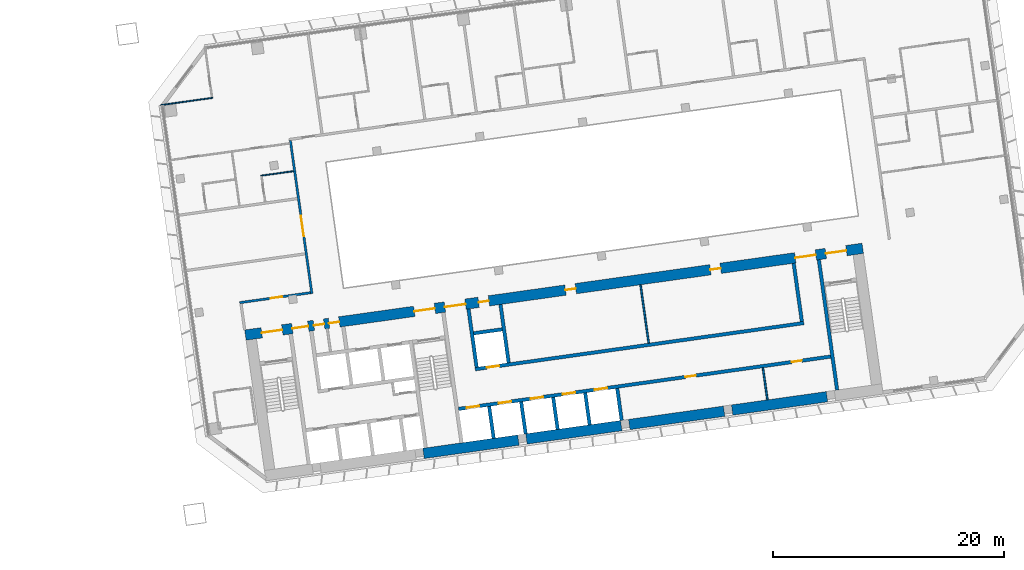
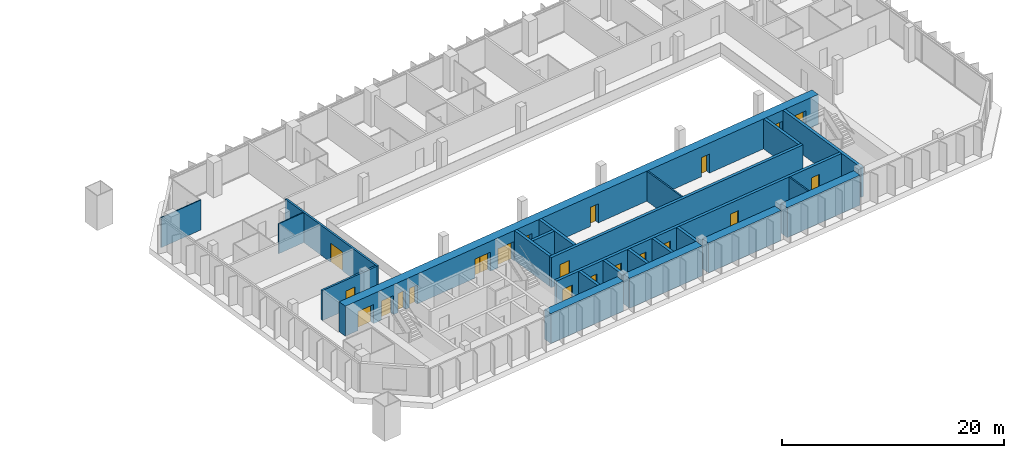
# One storey, part 19 of 24: 23 walls, 21 doors, 21 openings.
"""IFC4 building model written with IfcOpenShell, lengths in metres."""

import ifcopenshell
import ifcopenshell.guid

model = None  # the IFC model being written
_history = None  # IfcOwnerHistory: only IFC2X3 demands one
_inside = {}  # id of a spatial element -> (the spatial element, [elements in it])
_under = {}  # id of a project, library or spatial element -> (it, [spatial elements below it])
_declared = {}  # id of a project -> (the project, [libraries it declares])
_typed = {}  # id of a type object -> (the type object, [elements of that type])
_made_of = {}  # id of a material, layer set ... -> (it, [elements and type objects made of it])


def new_model(schema):
    """Start an empty IFC model of exactly this schema.

    Asked for "IFC4X3", IfcOpenShell would pick the latest addendum, in which some entities
    have other attributes; the version numbers below select the first issue.
    IFC2X3 requires an IfcOwnerHistory on every rooted entity: one is made here for all.
    """
    global model, _history
    if schema == "IFC4X3":
        model = ifcopenshell.file(schema_version=(4, 3, 0, 0))
    else:
        model = ifcopenshell.file(schema=schema)
    _inside.clear()
    _under.clear()
    _declared.clear()
    _typed.clear()
    _made_of.clear()
    _history = None
    if model.schema == "IFC2X3":
        org = make("IfcOrganization", Name="unknown")
        user = make(
            "IfcPersonAndOrganization",
            ThePerson=make("IfcPerson", FamilyName="unknown"),
            TheOrganization=org,
        )
        app = make(
            "IfcApplication",
            ApplicationDeveloper=org,
            Version="unknown",
            ApplicationFullName="unknown",
            ApplicationIdentifier="unknown",
        )
        _history = make(
            "IfcOwnerHistory",
            OwningUser=user,
            OwningApplication=app,
            ChangeAction="ADDED",
            CreationDate=0,
        )
    return model


def make(cls, **values):
    """One entity of the class cls with the attributes given. An attribute that is None is left unset."""
    return model.create_entity(
        cls, **{name: value for name, value in values.items() if value is not None}
    )


def rooted(cls, **values):
    """An entity with a GlobalId (a new one), such as an element, a storey or a relation."""
    return make(cls, GlobalId=ifcopenshell.guid.new(), OwnerHistory=_history, **values)


def si_unit(unit_type, name, prefix=None):
    """IfcSIUnit, for example si_unit("LENGTHUNIT", "METRE", prefix="MILLI")."""
    return make("IfcSIUnit", UnitType=unit_type, Prefix=prefix, Name=name)


def assignment(units):
    """IfcUnitAssignment: the units of a project."""
    return None if units is None else make("IfcUnitAssignment", Units=units)


def point(xyz):
    """IfcCartesianPoint."""
    return None if xyz is None else make("IfcCartesianPoint", Coordinates=xyz)


def direction(xyz):
    """IfcDirection."""
    return None if xyz is None else make("IfcDirection", DirectionRatios=xyz)


def frame(location, z_axis=None, x_axis=None):
    """IfcAxis2Placement3D, a coordinate frame: its origin and axes. An axis left out is left unset."""
    return make(
        "IfcAxis2Placement3D",
        Location=point(location),
        Axis=direction(z_axis),
        RefDirection=direction(x_axis),
    )


def frame_2d(location, x_axis=None):
    """IfcAxis2Placement2D, a coordinate frame in the plane: its origin and x axis."""
    return make(
        "IfcAxis2Placement2D", Location=point(location), RefDirection=direction(x_axis)
    )


def origin():
    """The frame at (0, 0, 0) with its axes left unset."""
    return frame((0.0, 0.0, 0.0))


def place(relative_to, where):
    """IfcLocalPlacement: puts the frame where relative to a parent placement (None: the world)."""
    return make(
        "IfcLocalPlacement", PlacementRelTo=relative_to, RelativePlacement=where
    )


def context(
    kind, dimensions, precision=None, world=None, true_north=None, identifier=None
):
    """IfcGeometricRepresentationContext, for example the 3D "Model" context."""
    return make(
        "IfcGeometricRepresentationContext",
        ContextIdentifier=identifier,
        ContextType=kind,
        CoordinateSpaceDimension=dimensions,
        Precision=precision,
        WorldCoordinateSystem=world,
        TrueNorth=true_north,
    )


def subcontext(parent, identifier, kind, view, scale=None):
    """IfcGeometricRepresentationSubContext, for example "Body" below "Model"."""
    return make(
        "IfcGeometricRepresentationSubContext",
        ContextIdentifier=identifier,
        ContextType=kind,
        ParentContext=parent,
        TargetScale=scale,
        TargetView=view,
    )


def project(units=None, contexts=None):
    """IfcProject with its units and contexts."""
    return rooted(
        "IfcProject",
        Name="project",
        RepresentationContexts=contexts,
        UnitsInContext=assignment(units),
    )


def spatial(cls, under=None, at=None, **own):
    """A site, building, storey or space (cls), placed at a placement, below another one or the project."""
    s = rooted(cls, ObjectPlacement=at, **own)
    if under is not None:
        _under.setdefault(under.id(), (under, []))[1].append(s)
    return s


def profile(cls, at=None, kind="AREA", **sizes):
    """A parametric profile (cls). Its sizes go by their IFC names, for example OverallWidth=200.0."""
    return make(cls, ProfileType=kind, Position=at, **sizes)


def rectangle(**sizes):
    """IfcRectangleProfileDef."""
    return profile("IfcRectangleProfileDef", **sizes)


def extrude(swept, where, along, depth):
    """IfcExtrudedAreaSolid: the profile swept, set in the frame where, extruded along a direction by depth."""
    return make(
        "IfcExtrudedAreaSolid",
        SweptArea=swept,
        Position=where,
        ExtrudedDirection=direction(along),
        Depth=depth,
    )


def shape(context_of_items, identifier, shape_type, items):
    """IfcShapeRepresentation: the items that make up one representation, for example the "Body"."""
    return make(
        "IfcShapeRepresentation",
        ContextOfItems=context_of_items,
        RepresentationIdentifier=identifier,
        RepresentationType=shape_type,
        Items=items,
    )


def material(Name=None, Category=None):
    """IfcMaterial."""
    return make("IfcMaterial", Name=Name, Category=Category)


def layer(
    of_material, thickness, ventilated=None, Name=None, Category=None, Priority=None
):
    """IfcMaterialLayer: one layer of a wall or slab, of a material (None: an air gap)."""
    return make(
        "IfcMaterialLayer",
        Material=of_material,
        LayerThickness=thickness,
        IsVentilated=ventilated,
        Name=Name,
        Category=Category,
        Priority=Priority,
    )


def layer_set(layers, Name=None):
    """IfcMaterialLayerSet."""
    return make("IfcMaterialLayerSet", MaterialLayers=layers, LayerSetName=Name)


def made_of(thing, what):
    """Note that an element or type object is made of a material, layer set ...; save() writes the relation."""
    if what is not None:
        _made_of.setdefault(what.id(), (what, []))[1].append(thing)
    return thing


def type_object(cls, material=None, **own):
    """A type object (cls), such as IfcWallType, which elements share."""
    return made_of(rooted(cls, **own), material)


def element(
    cls,
    number,
    at=None,
    inside=None,
    cuts=None,
    type_object=None,
    material=None,
    context=None,
    identifier="Body",
    shape_type=None,
    held_by="IfcProductDefinitionShape",
    body=None,
    shapes=None,
    **own,
):
    """One element of the class cls, such as IfcWall. Its Tag is "e" and its number.

    at: its placement. inside: the storey or other place that contains it. cuts: it is an
    opening in that element (IfcRelVoidsElement). A single representation is given by context,
    identifier, shape_type and body (its items); several are given by shapes. held_by: the class
    of the entity that holds the representations. save() writes the other relations.
    """
    e = rooted(cls, Tag="e%d" % number, ObjectPlacement=at, **own)
    if body is not None:
        shapes = [shape(context, identifier, shape_type, body)]
    if shapes is not None:
        e.Representation = make(held_by, Representations=shapes)
    if inside is not None:
        _inside.setdefault(inside.id(), (inside, []))[1].append(e)
    if cuts is not None:
        rooted(
            "IfcRelVoidsElement", RelatingBuildingElement=cuts, RelatedOpeningElement=e
        )
    if type_object is not None:
        _typed.setdefault(type_object.id(), (type_object, []))[1].append(e)
    return made_of(e, material)


def fill(opening, filler):
    """IfcRelFillsElement: the door or window that sits in an opening."""
    return rooted(
        "IfcRelFillsElement",
        RelatingOpeningElement=opening,
        RelatedBuildingElement=filler,
    )


def aggregate(whole, parts):
    """IfcRelAggregates: a whole, such as a stair, and the parts it consists of."""
    return rooted("IfcRelAggregates", RelatingObject=whole, RelatedObjects=parts)


def save(model, path):
    """Write the relations noted so far, then the file.

    IfcRelAggregates (storeys below a building ...), IfcRelContainedInSpatialStructure (elements
    in a storey), IfcRelDefinesByType, IfcRelAssociatesMaterial and IfcRelDeclares: one each for
    every whole, place, type object, material and project.
    """
    for whole, parts in _under.values():
        aggregate(whole, parts)
    for where, things in _inside.values():
        rooted(
            "IfcRelContainedInSpatialStructure",
            RelatedElements=things,
            RelatingStructure=where,
        )
    for kind, things in _typed.values():
        rooted("IfcRelDefinesByType", RelatedObjects=things, RelatingType=kind)
    for what, things in _made_of.values():
        rooted("IfcRelAssociatesMaterial", RelatedObjects=things, RelatingMaterial=what)
    for by, libraries in _declared.values():
        rooted("IfcRelDeclares", RelatingContext=by, RelatedDefinitions=libraries)
    model.write(path)


model = new_model("IFC4")

# Units and contexts
model_context = context("Model", 3, precision=1e-05, world=origin(), true_north=direction((0.0, 1.0)))
body_context = subcontext(model_context, "Body", "Model", "MODEL_VIEW")
ifc_project = project(units=[si_unit("LENGTHUNIT", "METRE"), si_unit("AREAUNIT", "SQUARE_METRE"), si_unit("VOLUMEUNIT", "CUBIC_METRE"), si_unit("PLANEANGLEUNIT", "RADIAN"), si_unit("MASSUNIT", "GRAM", prefix="KILO")], contexts=[model_context])

# Site, building, storey
site_placement = place(None, origin())
site = spatial("IfcSite", under=ifc_project, at=site_placement, CompositionType="ELEMENT")
building_placement = place(site_placement, origin())
building = spatial("IfcBuilding", under=site, at=building_placement, Name="Mirante Cascada Hotel Towers", CompositionType="ELEMENT")
storey_placement = place(building_placement, frame((0.0, 0.0, 88.9)))
storey = spatial("IfcBuildingStorey", under=building, at=storey_placement, Name="L19", CompositionType="ELEMENT", Elevation=88.9)

# Wall, opening, door
ifc_material_1 = material(Name="Fire-rated plasterboard on metal studs")
ifc_layer_1 = layer(ifc_material_1, 0.2)
ifc_layer_set_1 = layer_set([ifc_layer_1], Name="Compartment wall 200 EI 120")
wall_type_1 = type_object("IfcWallType", Name="Compartment wall 200 EI 120", PredefinedType="PARTITIONING", material=ifc_layer_set_1)
wall_1_placement = place(storey_placement, frame((40.97, -3.8917, 0.0), z_axis=(0.0, 0.0, 1.0), x_axis=(-0.9902695, -0.1391629, 0.0)))
wall_1 = element("IfcWall", 1, at=wall_1_placement, inside=storey, type_object=wall_type_1, Name="Wall 2-L19-03", PredefinedType="PARTITIONING", context=body_context, shape_type="SweptSolid", body=[
    extrude(rectangle(XDim=6.1999, YDim=0.2, at=frame_2d((3.1, 0.0))), origin(), (0.0, 0.0, 1.0), 3.3),
])
opening_1_placement = place(wall_1_placement, frame((2.5, 0.0, 0.0)))
opening_1 = element("IfcOpeningElement", 2, at=opening_1_placement, cuts=wall_1, Name="Opening D2-L19-02", PredefinedType="OPENING", context=body_context, shape_type="SweptSolid", body=[
    extrude(rectangle(XDim=1.0, YDim=2.1, at=frame_2d((0.5, 1.05))), frame((0.0, 0.1, 0.0), z_axis=(0.0, -1.0, 0.0), x_axis=(1.0, 0.0, 0.0)), (0.0, 0.0, 1.0), 0.2),
])
ifc_material_2 = material(Name="Fire-rated timber door leaf", Category="wood")
door_type_1 = type_object("IfcDoorType", Name="Entrance door DG1 1000x2100 EI 60", OperationType="SINGLE_SWING_LEFT", PredefinedType="DOOR", material=ifc_material_2)
door_1_placement = place(opening_1_placement, origin())
door_1 = element("IfcDoor", 3, at=door_1_placement, inside=storey, type_object=door_type_1, Name="Door D2-L19-02", OperationType="SINGLE_SWING_LEFT", OverallHeight=2.1, OverallWidth=1.0, PredefinedType="DOOR", context=body_context, shape_type="SweptSolid", body=[
    extrude(rectangle(XDim=1.0, YDim=2.1, at=frame_2d((0.5, 1.05))), frame((0.0, 0.025, 0.0), z_axis=(0.0, -1.0, 0.0), x_axis=(1.0, 0.0, 0.0)), (0.0, 0.0, 1.0), 0.05),
])
fill(opening_1, door_1)

wall_2_placement = place(storey_placement, frame((39.2181, 9.2928, 0.0), z_axis=(0.0, 0.0, 1.0), x_axis=(0.1391716, -0.9902683, 0.0)))
wall_2 = element("IfcWall", 4, at=wall_2_placement, inside=storey, type_object=wall_type_1, Name="Wall 2-L19-31", PredefinedType="PARTITIONING", context=body_context, shape_type="SweptSolid", body=[
    extrude(rectangle(XDim=13.4, YDim=0.2, at=frame_2d((6.7, 0.0))), origin(), (0.0, 0.0, 1.0), 3.3),
])
opening_2_placement = place(wall_2_placement, frame((6.5834, 0.0, 0.0)))
opening_2 = element("IfcOpeningElement", 5, at=opening_2_placement, cuts=wall_2, Name="Opening D2-L19-26", PredefinedType="OPENING", context=body_context, shape_type="SweptSolid", body=[
    extrude(rectangle(XDim=1.8, YDim=2.1, at=frame_2d((0.9, 1.05))), frame((0.0, 0.1, 0.0), z_axis=(0.0, -1.0, 0.0), x_axis=(1.0, 0.0, 0.0)), (0.0, 0.0, 1.0), 0.2),
])
ifc_material_3 = material(Name="Fire-rated timber door leaf", Category="wood")
door_type_2 = type_object("IfcDoorType", Name="Suite double door DG2 1800x2100 EI 60", OperationType="DOUBLE_DOOR_SINGLE_SWING", PredefinedType="DOOR", material=ifc_material_3)
door_2_placement = place(opening_2_placement, origin())
door_2 = element("IfcDoor", 6, at=door_2_placement, inside=storey, type_object=door_type_2, Name="Door D2-L19-26", OperationType="DOUBLE_DOOR_SINGLE_SWING", OverallHeight=2.1, OverallWidth=1.8, PredefinedType="DOOR", context=body_context, shape_type="SweptSolid", body=[
    extrude(rectangle(XDim=0.895, YDim=2.1, at=frame_2d((0.4475, 1.05))), frame((0.0, 0.025, 0.0), z_axis=(0.0, -1.0, 0.0), x_axis=(1.0, 0.0, 0.0)), (0.0, 0.0, 1.0), 0.05),
    extrude(rectangle(XDim=0.895, YDim=2.1, at=frame_2d((1.3525, 1.05))), frame((0.0, 0.025, 0.0), z_axis=(0.0, -1.0, 0.0), x_axis=(1.0, 0.0, 0.0)), (0.0, 0.0, 1.0), 0.05),
])
fill(opening_2, door_2)

# Walls
ifc_material_4 = material(Name="Masonry block", Category="masonry")
ifc_layer_2 = layer(ifc_material_4, 0.15)
ifc_layer_set_2 = layer_set([ifc_layer_2], Name="Core room partition 150 block EI 30")
wall_type_2 = type_object("IfcWallType", Name="Core room partition 150 block EI 30", PredefinedType="PARTITIONING", material=ifc_layer_set_2)
wall_3_placement = place(storey_placement, frame((80.547, -13.174, 0.0), z_axis=(0.0, 0.0, 1.0), x_axis=(-0.139176, 0.9902677, 0.0)))
element("IfcWall", 7, at=wall_3_placement, inside=storey, type_object=wall_type_2, Name="Core wall partition T2 L19 5", PredefinedType="PARTITIONING", context=body_context, shape_type="SweptSolid", body=[
    extrude(rectangle(XDim=2.8001, YDim=0.15, at=frame_2d((1.4, 0.0))), origin(), (0.0, 0.0, 1.0), 3.3),
])
wall_4_placement = place(storey_placement, frame((70.2627, -8.2574, 0.0), z_axis=(0.0, 0.0, 1.0), x_axis=(-0.1391755, 0.9902677, 0.0)))
element("IfcWall", 8, at=wall_4_placement, inside=storey, type_object=wall_type_2, Name="Core wall partition T2 L19 6", PredefinedType="PARTITIONING", context=body_context, shape_type="SweptSolid", body=[
    extrude(rectangle(XDim=5.1, YDim=0.15, at=frame_2d((2.55, 0.0))), origin(), (0.0, 0.0, 1.0), 3.3),
])
ifc_material_5 = material(Name="Plasterboard on metal studs")
ifc_layer_3 = layer(ifc_material_5, 0.1)
ifc_layer_set_3 = layer_set([ifc_layer_3], Name="Partition 100")
wall_type_3 = type_object("IfcWallType", Name="Partition 100", PredefinedType="PARTITIONING", material=ifc_layer_set_3)
wall_5_placement = place(storey_placement, frame((39.4902, 6.6381, 0.0), z_axis=(0.0, 0.0, 1.0), x_axis=(-0.9902704, -0.1391564, 0.0)))
element("IfcWall", 9, at=wall_5_placement, inside=storey, type_object=wall_type_3, Name="Wall 2-L19-11", PredefinedType="PARTITIONING", context=body_context, shape_type="SweptSolid", body=[
    extrude(rectangle(XDim=2.85, YDim=0.1, at=frame_2d((1.425, 0.0))), origin(), (0.0, 0.0, 1.0), 3.3),
])
wall_6_placement = place(storey_placement, frame((32.4877, 12.9921, 0.0), z_axis=(0.0, 0.0, 1.0), x_axis=(-0.9902691, -0.1391656, 0.0)))
element("IfcWall", 10, at=wall_6_placement, inside=storey, type_object=wall_type_3, Name="Wall 2-L19-23", PredefinedType="PARTITIONING", context=body_context, shape_type="SweptSolid", body=[
    extrude(rectangle(XDim=4.55, YDim=0.1, at=frame_2d((2.275, 0.0))), origin(), (0.0, 0.0, 1.0), 3.3),
])
ifc_material_6 = material(Name="Concrete C50/60", Category="concrete")
ifc_layer_4 = layer(ifc_material_6, 0.3)
ifc_layer_set_4 = layer_set([ifc_layer_4], Name="RC core wall 300 C50/60")
wall_type_4 = type_object("IfcWallType", Name="RC core wall 300 C50/60", PredefinedType="SHEAR", material=ifc_layer_set_4)
wall_7_placement = place(storey_placement, frame((86.5877, -12.325, 0.0), z_axis=(0.0, 0.0, 1.0), x_axis=(-0.1391749, 0.9902678, 0.0)))
element("IfcWall", 11, at=wall_7_placement, inside=storey, type_object=wall_type_4, Name="Core wall T2:L19:8", PredefinedType="SHEAR", context=body_context, shape_type="SweptSolid", body=[
    extrude(rectangle(XDim=11.4, YDim=0.3, at=frame_2d((5.7, 0.0))), origin(), (0.0, 0.0, 1.0), 3.3),
])

# Wall, openings, doors
wall_8_placement = place(storey_placement, frame((53.7953, -13.9547, 0.0), z_axis=(0.0, 0.0, 1.0), x_axis=(0.990268, 0.1391733, 0.0)))
wall_8 = element("IfcWall", 12, at=wall_8_placement, inside=storey, type_object=wall_type_4, Name="Core wall T2:L19:25", PredefinedType="SHEAR", context=body_context, shape_type="SweptSolid", body=[
    extrude(rectangle(XDim=32.5501, YDim=0.3, at=frame_2d((16.275, 0.0))), origin(), (0.0, 0.0, 1.0), 3.3),
])
opening_3_placement = place(wall_8_placement, frame((0.7, 0.0, 0.0)))
opening_3 = element("IfcOpeningElement", 13, at=opening_3_placement, cuts=wall_8, Name="Opening LD", PredefinedType="OPENING", context=body_context, shape_type="SweptSolid", body=[
    extrude(rectangle(XDim=1.1, YDim=2.1, at=frame_2d((0.55, 1.05))), frame((0.0, 0.15, 0.0), z_axis=(0.0, -1.0, 0.0), x_axis=(1.0, 0.0, 0.0)), (0.0, 0.0, 1.0), 0.3),
])
opening_4_placement = place(wall_8_placement, frame((3.5, 0.0, 0.0)))
opening_4 = element("IfcOpeningElement", 14, at=opening_4_placement, cuts=wall_8, Name="Opening LD", PredefinedType="OPENING", context=body_context, shape_type="SweptSolid", body=[
    extrude(rectangle(XDim=1.1, YDim=2.1, at=frame_2d((0.55, 1.05))), frame((0.0, 0.15, 0.0), z_axis=(0.0, -1.0, 0.0), x_axis=(1.0, 0.0, 0.0)), (0.0, 0.0, 1.0), 0.3),
])
opening_5_placement = place(wall_8_placement, frame((6.3, 0.0, 0.0)))
opening_5 = element("IfcOpeningElement", 15, at=opening_5_placement, cuts=wall_8, Name="Opening LD", PredefinedType="OPENING", context=body_context, shape_type="SweptSolid", body=[
    extrude(rectangle(XDim=1.1, YDim=2.1, at=frame_2d((0.55, 1.05))), frame((0.0, 0.15, 0.0), z_axis=(0.0, -1.0, 0.0), x_axis=(1.0, 0.0, 0.0)), (0.0, 0.0, 1.0), 0.3),
])
opening_6_placement = place(wall_8_placement, frame((9.1, 0.0, 0.0)))
opening_6 = element("IfcOpeningElement", 16, at=opening_6_placement, cuts=wall_8, Name="Opening LD", PredefinedType="OPENING", context=body_context, shape_type="SweptSolid", body=[
    extrude(rectangle(XDim=1.1, YDim=2.1, at=frame_2d((0.55, 1.05))), frame((0.0, 0.15, 0.0), z_axis=(0.0, -1.0, 0.0), x_axis=(1.0, 0.0, 0.0)), (0.0, 0.0, 1.0), 0.3),
])
opening_7_placement = place(wall_8_placement, frame((11.9, 0.0, 0.0)))
opening_7 = element("IfcOpeningElement", 17, at=opening_7_placement, cuts=wall_8, Name="Opening LD", PredefinedType="OPENING", context=body_context, shape_type="SweptSolid", body=[
    extrude(rectangle(XDim=1.1, YDim=2.1, at=frame_2d((0.55, 1.05))), frame((0.0, 0.15, 0.0), z_axis=(0.0, -1.0, 0.0), x_axis=(1.0, 0.0, 0.0)), (0.0, 0.0, 1.0), 0.3),
])
opening_8_placement = place(wall_8_placement, frame((19.85, 0.0, 0.0)))
opening_8 = element("IfcOpeningElement", 18, at=opening_8_placement, cuts=wall_8, Name="Opening D2-19-C26", PredefinedType="OPENING", context=body_context, shape_type="SweptSolid", body=[
    extrude(rectangle(XDim=0.9, YDim=2.1, at=frame_2d((0.45, 1.05))), frame((0.0, 0.15, 0.0), z_axis=(0.0, -1.0, 0.0), x_axis=(1.0, 0.0, 0.0)), (0.0, 0.0, 1.0), 0.3),
])
opening_9_placement = place(wall_8_placement, frame((29.125, 0.0, 0.0)))
opening_9 = element("IfcOpeningElement", 19, at=opening_9_placement, cuts=wall_8, Name="Opening D2-19-C27", PredefinedType="OPENING", context=body_context, shape_type="SweptSolid", body=[
    extrude(rectangle(XDim=0.9, YDim=2.1, at=frame_2d((0.45, 1.05))), frame((0.0, 0.15, 0.0), z_axis=(0.0, -1.0, 0.0), x_axis=(1.0, 0.0, 0.0)), (0.0, 0.0, 1.0), 0.3),
])
ifc_material_7 = material(Name="Hollow metal fire door leaf")
door_type_3 = type_object("IfcDoorType", Name="Fire door 900x2100 FD60", OperationType="NOTDEFINED", PredefinedType="DOOR", material=ifc_material_7)
door_3_placement = place(opening_8_placement, frame((0.9, 0.0, 0.0), z_axis=(0.0, 0.0, 1.0), x_axis=(-1.0, 0.0, 0.0)))
door_3 = element("IfcDoor", 20, at=door_3_placement, inside=storey, type_object=door_type_3, Name="Room door T2 L19 26", OperationType="SINGLE_SWING_RIGHT", OverallHeight=2.1, OverallWidth=0.9, PredefinedType="DOOR", context=body_context, shape_type="SweptSolid", body=[
    extrude(rectangle(XDim=0.9, YDim=2.1, at=frame_2d((0.45, 1.05))), frame((0.0, 0.025, 0.0), z_axis=(0.0, -1.0, 0.0), x_axis=(1.0, 0.0, 0.0)), (0.0, 0.0, 1.0), 0.05),
])
fill(opening_8, door_3)
door_4_placement = place(opening_9_placement, frame((0.9, 0.0, 0.0), z_axis=(0.0, 0.0, 1.0), x_axis=(-1.0, 0.0, 0.0)))
door_4 = element("IfcDoor", 21, at=door_4_placement, inside=storey, type_object=door_type_3, Name="Room door T2 L19 27", OperationType="SINGLE_SWING_RIGHT", OverallHeight=2.1, OverallWidth=0.9, PredefinedType="DOOR", context=body_context, shape_type="SweptSolid", body=[
    extrude(rectangle(XDim=0.9, YDim=2.1, at=frame_2d((0.45, 1.05))), frame((0.0, 0.025, 0.0), z_axis=(0.0, -1.0, 0.0), x_axis=(1.0, 0.0, 0.0)), (0.0, 0.0, 1.0), 0.05),
])
fill(opening_9, door_4)
ifc_material_8 = material(Name="Stainless steel", Category="steel")
door_type_4 = type_object("IfcDoorType", Name="Lift landing door 1100x2100 EI 120", OperationType="DOUBLE_DOOR_SLIDING", PredefinedType="DOOR", material=ifc_material_8)
door_5_placement = place(opening_3_placement, origin())
door_5 = element("IfcDoor", 22, at=door_5_placement, inside=storey, type_object=door_type_4, Name="Lift landing door LR2-1 L19", OperationType="DOUBLE_DOOR_SLIDING", OverallHeight=2.1, OverallWidth=1.1, PredefinedType="DOOR", context=body_context, shape_type="SweptSolid", body=[
    extrude(rectangle(XDim=0.545, YDim=2.1, at=frame_2d((0.2725, 1.05))), frame((0.0, 0.025, 0.0), z_axis=(0.0, -1.0, 0.0), x_axis=(1.0, 0.0, 0.0)), (0.0, 0.0, 1.0), 0.05),
    extrude(rectangle(XDim=0.545, YDim=2.1, at=frame_2d((0.8275, 1.05))), frame((0.0, 0.025, 0.0), z_axis=(0.0, -1.0, 0.0), x_axis=(1.0, 0.0, 0.0)), (0.0, 0.0, 1.0), 0.05),
])
fill(opening_3, door_5)
door_6_placement = place(opening_4_placement, origin())
door_6 = element("IfcDoor", 23, at=door_6_placement, inside=storey, type_object=door_type_4, Name="Lift landing door LR2-2 L19", OperationType="DOUBLE_DOOR_SLIDING", OverallHeight=2.1, OverallWidth=1.1, PredefinedType="DOOR", context=body_context, shape_type="SweptSolid", body=[
    extrude(rectangle(XDim=0.545, YDim=2.1, at=frame_2d((0.2725, 1.05))), frame((0.0, 0.025, 0.0), z_axis=(0.0, -1.0, 0.0), x_axis=(1.0, 0.0, 0.0)), (0.0, 0.0, 1.0), 0.05),
    extrude(rectangle(XDim=0.545, YDim=2.1, at=frame_2d((0.8275, 1.05))), frame((0.0, 0.025, 0.0), z_axis=(0.0, -1.0, 0.0), x_axis=(1.0, 0.0, 0.0)), (0.0, 0.0, 1.0), 0.05),
])
fill(opening_4, door_6)
door_7_placement = place(opening_5_placement, origin())
door_7 = element("IfcDoor", 24, at=door_7_placement, inside=storey, type_object=door_type_4, Name="Lift landing door SV2-1 L19", OperationType="DOUBLE_DOOR_SLIDING", OverallHeight=2.1, OverallWidth=1.1, PredefinedType="DOOR", context=body_context, shape_type="SweptSolid", body=[
    extrude(rectangle(XDim=0.545, YDim=2.1, at=frame_2d((0.2725, 1.05))), frame((0.0, 0.025, 0.0), z_axis=(0.0, -1.0, 0.0), x_axis=(1.0, 0.0, 0.0)), (0.0, 0.0, 1.0), 0.05),
    extrude(rectangle(XDim=0.545, YDim=2.1, at=frame_2d((0.8275, 1.05))), frame((0.0, 0.025, 0.0), z_axis=(0.0, -1.0, 0.0), x_axis=(1.0, 0.0, 0.0)), (0.0, 0.0, 1.0), 0.05),
])
fill(opening_5, door_7)
door_8_placement = place(opening_6_placement, origin())
door_8 = element("IfcDoor", 25, at=door_8_placement, inside=storey, type_object=door_type_4, Name="Lift landing door SV2-2 L19", OperationType="DOUBLE_DOOR_SLIDING", OverallHeight=2.1, OverallWidth=1.1, PredefinedType="DOOR", context=body_context, shape_type="SweptSolid", body=[
    extrude(rectangle(XDim=0.545, YDim=2.1, at=frame_2d((0.2725, 1.05))), frame((0.0, 0.025, 0.0), z_axis=(0.0, -1.0, 0.0), x_axis=(1.0, 0.0, 0.0)), (0.0, 0.0, 1.0), 0.05),
    extrude(rectangle(XDim=0.545, YDim=2.1, at=frame_2d((0.8275, 1.05))), frame((0.0, 0.025, 0.0), z_axis=(0.0, -1.0, 0.0), x_axis=(1.0, 0.0, 0.0)), (0.0, 0.0, 1.0), 0.05),
])
fill(opening_6, door_8)
door_9_placement = place(opening_7_placement, origin())
door_9 = element("IfcDoor", 26, at=door_9_placement, inside=storey, type_object=door_type_4, Name="Lift landing door SV2-3 L19", OperationType="DOUBLE_DOOR_SLIDING", OverallHeight=2.1, OverallWidth=1.1, PredefinedType="DOOR", context=body_context, shape_type="SweptSolid", body=[
    extrude(rectangle(XDim=0.545, YDim=2.1, at=frame_2d((0.2725, 1.05))), frame((0.0, 0.025, 0.0), z_axis=(0.0, -1.0, 0.0), x_axis=(1.0, 0.0, 0.0)), (0.0, 0.0, 1.0), 0.05),
    extrude(rectangle(XDim=0.545, YDim=2.1, at=frame_2d((0.8275, 1.05))), frame((0.0, 0.025, 0.0), z_axis=(0.0, -1.0, 0.0), x_axis=(1.0, 0.0, 0.0)), (0.0, 0.0, 1.0), 0.05),
])
fill(opening_7, door_9)

# Walls
for number, where, z_axis, x_axis, name in (
    (27, (56.8301, -16.5072, 0.0), (0.0, 0.0, 1.0), (-0.139176, 0.9902677, 0.0), "Core wall T2:L19:26"),
    (28, (59.6029, -16.1175, 0.0), (0.0, 0.0, 1.0), (-0.139176, 0.9902677, 0.0), "Core wall T2:L19:27"),
    (29, (62.3756, -15.7278, 0.0), (0.0, 0.0, 1.0), (-0.139176, 0.9902677, 0.0), "Core wall T2:L19:28"),
    (30, (65.1484, -15.3381, 0.0), (0.0, 0.0, 1.0), (-0.139176, 0.9902677, 0.0), "Core wall T2:L19:29"),
):
    element("IfcWall", number, at=place(storey_placement, frame(where, z_axis=z_axis, x_axis=x_axis)), inside=storey, type_object=wall_type_4, Name=name, PredefinedType="SHEAR", context=body_context, shape_type="SweptSolid", body=[
        extrude(rectangle(XDim=2.8001, YDim=0.3, at=frame_2d((1.4, 0.0))), origin(), (0.0, 0.0, 1.0), 3.3),
    ])
wall_9_placement = place(storey_placement, frame((67.9211, -14.9484, 0.0), z_axis=(0.0, 0.0, 1.0), x_axis=(-0.139181, 0.990267, 0.0)))
element("IfcWall", 31, at=wall_9_placement, inside=storey, type_object=wall_type_4, Name="Core wall T2:L19:30", PredefinedType="SHEAR", context=body_context, shape_type="SweptSolid", body=[
    extrude(rectangle(XDim=2.8, YDim=0.3, at=frame_2d((1.4, 0.0))), origin(), (0.0, 0.0, 1.0), 3.3),
])

# Wall, opening, door
wall_10_placement = place(storey_placement, frame((55.2315, -10.5214, 0.0), z_axis=(0.0, 0.0, 1.0), x_axis=(0.9902682, 0.1391722, 0.0)))
wall_10 = element("IfcWall", 32, at=wall_10_placement, inside=storey, type_object=wall_type_4, Name="Core wall T2:L19:32", PredefinedType="SHEAR", context=body_context, shape_type="SweptSolid", body=[
    extrude(rectangle(XDim=28.75, YDim=0.3, at=frame_2d((14.375, 0.0))), origin(), (0.0, 0.0, 1.0), 3.3),
])
opening_10_placement = place(wall_10_placement, frame((1.0, 0.0, 0.0)))
opening_10 = element("IfcOpeningElement", 33, at=opening_10_placement, cuts=wall_10, Name="Opening LD", PredefinedType="OPENING", context=body_context, shape_type="SweptSolid", body=[
    extrude(rectangle(XDim=1.1, YDim=2.1, at=frame_2d((0.55, 1.05))), frame((0.0, 0.15, 0.0), z_axis=(0.0, -1.0, 0.0), x_axis=(1.0, 0.0, 0.0)), (0.0, 0.0, 1.0), 0.3),
])
door_10_placement = place(opening_10_placement, origin())
door_10 = element("IfcDoor", 34, at=door_10_placement, inside=storey, type_object=door_type_4, Name="Lift landing door LR2-3 L19", OperationType="DOUBLE_DOOR_SLIDING", OverallHeight=2.1, OverallWidth=1.1, PredefinedType="DOOR", context=body_context, shape_type="SweptSolid", body=[
    extrude(rectangle(XDim=0.545, YDim=2.1, at=frame_2d((0.2725, 1.05))), frame((0.0, 0.025, 0.0), z_axis=(0.0, -1.0, 0.0), x_axis=(1.0, 0.0, 0.0)), (0.0, 0.0, 1.0), 0.05),
    extrude(rectangle(XDim=0.545, YDim=2.1, at=frame_2d((0.8275, 1.05))), frame((0.0, 0.025, 0.0), z_axis=(0.0, -1.0, 0.0), x_axis=(1.0, 0.0, 0.0)), (0.0, 0.0, 1.0), 0.05),
])
fill(opening_10, door_10)

# Walls
for number, where, z_axis, x_axis, name in (
    (35, (55.3592, -10.352, 0.0), (0.0, 0.0, 1.0), (-0.1391755, 0.9902677, 0.0), "Core wall T2:L19:33"),
    (36, (83.5323, -6.3925, 0.0), (0.0, 0.0, 1.0), (-0.1391755, 0.9902677, 0.0), "Core wall T2:L19:34"),
    (37, (58.1319, -9.9623, 0.0), (0.0, 0.0, 1.0), (-0.1391755, 0.9902677, 0.0), "Core wall T2:L19:35"),
):
    element("IfcWall", number, at=place(storey_placement, frame(where, z_axis=z_axis, x_axis=x_axis)), inside=storey, type_object=wall_type_4, Name=name, PredefinedType="SHEAR", context=body_context, shape_type="SweptSolid", body=[
        extrude(rectangle(XDim=5.1, YDim=0.3, at=frame_2d((2.55, 0.0))), origin(), (0.0, 0.0, 1.0), 3.3),
    ])
wall_11_placement = place(storey_placement, frame((55.0971, -7.4098, 0.0), z_axis=(0.0, 0.0, 1.0), x_axis=(0.9902701, 0.1391586, 0.0)))
element("IfcWall", 38, at=wall_11_placement, inside=storey, type_object=wall_type_4, Name="Core wall T2:L19:36", PredefinedType="SHEAR", context=body_context, shape_type="SweptSolid", body=[
    extrude(rectangle(XDim=2.5, YDim=0.3, at=frame_2d((1.25, 0.0))), origin(), (0.0, 0.0, 1.0), 3.3),
])
ifc_material_9 = material(Name="Concrete C50/60", Category="concrete")
ifc_layer_5 = layer(ifc_material_9, 0.9)
ifc_layer_set_5 = layer_set([ifc_layer_5], Name="RC core wall 900 C50/60")
wall_type_5 = type_object("IfcWallType", Name="RC core wall 900 C50/60", PredefinedType="SHEAR", material=ifc_layer_set_5)
for number, where, z_axis, x_axis, name in (
    (39, (50.7531, -17.8156, 0.0), (0.0, 0.0, 1.0), (0.9902686, 0.1391692, 0.0), "Core wall T2:L19:1.3"),
    (40, (59.6655, -16.5631, 0.0), (0.0, 0.0, 1.0), (0.9902686, 0.1391692, 0.0), "Core wall T2:L19:1.4"),
    (41, (68.5779, -15.3105, 0.0), (0.0, 0.0, 1.0), (0.9902686, 0.1391692, 0.0), "Core wall T2:L19:1.5"),
    (42, (77.4903, -14.058, 0.0), (0.0, 0.0, 1.0), (0.990267, 0.139181, 0.0), "Core wall T2:L19:1.6"),
):
    element("IfcWall", number, at=place(storey_placement, frame(where, z_axis=z_axis, x_axis=x_axis)), inside=storey, type_object=wall_type_5, Name=name, PredefinedType="SHEAR", context=body_context, shape_type="SweptSolid", body=[
        extrude(rectangle(XDim=8.3, YDim=0.9, at=frame_2d((4.15, 0.0))), origin(), (0.0, 0.0, 1.0), 3.3),
    ])

# Wall, openings, doors
wall_12_placement = place(storey_placement, frame((35.326, -7.5629, 0.0), z_axis=(0.0, 0.0, 1.0), x_axis=(0.9902679, 0.139174, 0.0)))
wall_12 = element("IfcWall", 43, at=wall_12_placement, inside=storey, type_object=wall_type_5, Name="Core wall T2:L19:2", PredefinedType="SHEAR", context=body_context, shape_type="SweptSolid", body=[
    extrude(rectangle(XDim=54.0, YDim=0.9, at=frame_2d((27.0, 0.0))), origin(), (0.0, 0.0, 1.0), 3.3),
])
opening_11_placement = place(wall_12_placement, frame((1.425, 0.0, 0.0)))
opening_11 = element("IfcOpeningElement", 44, at=opening_11_placement, cuts=wall_12, Name="Opening D2-19-C14", PredefinedType="OPENING", context=body_context, shape_type="SweptSolid", body=[
    extrude(rectangle(XDim=1.8, YDim=2.1, at=frame_2d((0.9, 1.05))), frame((0.0, 0.45, 0.0), z_axis=(0.0, -1.0, 0.0), x_axis=(1.0, 0.0, 0.0)), (0.0, 0.0, 1.0), 0.9),
])
opening_12_placement = place(wall_12_placement, frame((14.775, 0.0, 0.0)))
opening_12 = element("IfcOpeningElement", 45, at=opening_12_placement, cuts=wall_12, Name="Opening D2-19-C16", PredefinedType="OPENING", context=body_context, shape_type="SweptSolid", body=[
    extrude(rectangle(XDim=1.8, YDim=2.1, at=frame_2d((0.9, 1.05))), frame((0.0, 0.45, 0.0), z_axis=(0.0, -1.0, 0.0), x_axis=(1.0, 0.0, 0.0)), (0.0, 0.0, 1.0), 0.9),
])
opening_13_placement = place(wall_12_placement, frame((50.775, 0.0, 0.0)))
opening_13 = element("IfcOpeningElement", 46, at=opening_13_placement, cuts=wall_12, Name="Opening D2-19-C18", PredefinedType="OPENING", context=body_context, shape_type="SweptSolid", body=[
    extrude(rectangle(XDim=1.8, YDim=2.1, at=frame_2d((0.9, 1.05))), frame((0.0, 0.45, 0.0), z_axis=(0.0, -1.0, 0.0), x_axis=(1.0, 0.0, 0.0)), (0.0, 0.0, 1.0), 0.9),
])
opening_14_placement = place(wall_12_placement, frame((4.1, 0.0, 0.0)))
opening_14 = element("IfcOpeningElement", 47, at=opening_14_placement, cuts=wall_12, Name="Opening D2-19-C19", PredefinedType="OPENING", context=body_context, shape_type="SweptSolid", body=[
    extrude(rectangle(XDim=1.4, YDim=2.1, at=frame_2d((0.7, 1.05))), frame((0.0, 0.45, 0.0), z_axis=(0.0, -1.0, 0.0), x_axis=(1.0, 0.0, 0.0)), (0.0, 0.0, 1.0), 0.9),
])
opening_15_placement = place(wall_12_placement, frame((17.45, 0.0, 0.0)))
opening_15 = element("IfcOpeningElement", 48, at=opening_15_placement, cuts=wall_12, Name="Opening D2-19-C20", PredefinedType="OPENING", context=body_context, shape_type="SweptSolid", body=[
    extrude(rectangle(XDim=1.8, YDim=2.1, at=frame_2d((0.9, 1.05))), frame((0.0, 0.45, 0.0), z_axis=(0.0, -1.0, 0.0), x_axis=(1.0, 0.0, 0.0)), (0.0, 0.0, 1.0), 0.9),
])
opening_16_placement = place(wall_12_placement, frame((48.1, 0.0, 0.0)))
opening_16 = element("IfcOpeningElement", 49, at=opening_16_placement, cuts=wall_12, Name="Opening D2-19-C21", PredefinedType="OPENING", context=body_context, shape_type="SweptSolid", body=[
    extrude(rectangle(XDim=1.8, YDim=2.1, at=frame_2d((0.9, 1.05))), frame((0.0, 0.45, 0.0), z_axis=(0.0, -1.0, 0.0), x_axis=(1.0, 0.0, 0.0)), (0.0, 0.0, 1.0), 0.9),
])
opening_17_placement = place(wall_12_placement, frame((5.9875, 0.0, 0.0)))
opening_17 = element("IfcOpeningElement", 50, at=opening_17_placement, cuts=wall_12, Name="Opening D2-19-C24", PredefinedType="OPENING", context=body_context, shape_type="SweptSolid", body=[
    extrude(rectangle(XDim=0.9, YDim=2.1, at=frame_2d((0.45, 1.05))), frame((0.0, 0.45, 0.0), z_axis=(0.0, -1.0, 0.0), x_axis=(1.0, 0.0, 0.0)), (0.0, 0.0, 1.0), 0.9),
])
opening_18_placement = place(wall_12_placement, frame((7.3125, 0.0, 0.0)))
opening_18 = element("IfcOpeningElement", 51, at=opening_18_placement, cuts=wall_12, Name="Opening D2-19-C25", PredefinedType="OPENING", context=body_context, shape_type="SweptSolid", body=[
    extrude(rectangle(XDim=0.9, YDim=2.1, at=frame_2d((0.45, 1.05))), frame((0.0, 0.45, 0.0), z_axis=(0.0, -1.0, 0.0), x_axis=(1.0, 0.0, 0.0)), (0.0, 0.0, 1.0), 0.9),
])
opening_19_placement = place(wall_12_placement, frame((20.4, 0.0, 0.0)))
opening_19 = element("IfcOpeningElement", 52, at=opening_19_placement, cuts=wall_12, Name="Opening D2-19-C28", PredefinedType="OPENING", context=body_context, shape_type="SweptSolid", body=[
    extrude(rectangle(XDim=0.9, YDim=2.1, at=frame_2d((0.45, 1.05))), frame((0.0, 0.45, 0.0), z_axis=(0.0, -1.0, 0.0), x_axis=(1.0, 0.0, 0.0)), (0.0, 0.0, 1.0), 0.9),
])
opening_20_placement = place(wall_12_placement, frame((28.0, 0.0, 0.0)))
opening_20 = element("IfcOpeningElement", 53, at=opening_20_placement, cuts=wall_12, Name="Opening D2-19-C29", PredefinedType="OPENING", context=body_context, shape_type="SweptSolid", body=[
    extrude(rectangle(XDim=0.9, YDim=2.1, at=frame_2d((0.45, 1.05))), frame((0.0, 0.45, 0.0), z_axis=(0.0, -1.0, 0.0), x_axis=(1.0, 0.0, 0.0)), (0.0, 0.0, 1.0), 0.9),
])
opening_21_placement = place(wall_12_placement, frame((40.675, 0.0, 0.0)))
opening_21 = element("IfcOpeningElement", 54, at=opening_21_placement, cuts=wall_12, Name="Opening D2-19-C30", PredefinedType="OPENING", context=body_context, shape_type="SweptSolid", body=[
    extrude(rectangle(XDim=0.9, YDim=2.1, at=frame_2d((0.45, 1.05))), frame((0.0, 0.45, 0.0), z_axis=(0.0, -1.0, 0.0), x_axis=(1.0, 0.0, 0.0)), (0.0, 0.0, 1.0), 0.9),
])
ifc_material_10 = material(Name="Hollow metal fire door leaf")
door_type_5 = type_object("IfcDoorType", Name="Double fire door 1400x2100 FD60", OperationType="DOUBLE_DOOR_SINGLE_SWING", PredefinedType="DOOR", material=ifc_material_10)
door_11_placement = place(opening_14_placement, origin())
door_11 = element("IfcDoor", 55, at=door_11_placement, inside=storey, type_object=door_type_5, Name="Exit door to gallery T2 L19 19", OperationType="DOUBLE_DOOR_SINGLE_SWING", OverallHeight=2.1, OverallWidth=1.4, PredefinedType="DOOR", context=body_context, shape_type="SweptSolid", body=[
    extrude(rectangle(XDim=0.695, YDim=2.1, at=frame_2d((0.3475, 1.05))), frame((0.0, 0.025, 0.0), z_axis=(0.0, -1.0, 0.0), x_axis=(1.0, 0.0, 0.0)), (0.0, 0.0, 1.0), 0.05),
    extrude(rectangle(XDim=0.695, YDim=2.1, at=frame_2d((1.0525, 1.05))), frame((0.0, 0.025, 0.0), z_axis=(0.0, -1.0, 0.0), x_axis=(1.0, 0.0, 0.0)), (0.0, 0.0, 1.0), 0.05),
])
fill(opening_14, door_11)
ifc_material_11 = material(Name="Hollow metal fire door leaf")
door_type_6 = type_object("IfcDoorType", Name="Double fire door 1800x2100 FD60", OperationType="DOUBLE_DOOR_SINGLE_SWING", PredefinedType="DOOR", material=ifc_material_11)
door_12_placement = place(opening_11_placement, frame((1.8, 0.0, 0.0), z_axis=(0.0, 0.0, 1.0), x_axis=(-1.0, 0.0, 0.0)))
door_12 = element("IfcDoor", 56, at=door_12_placement, inside=storey, type_object=door_type_6, Name="Exit door to gallery T2 L19 14", OperationType="DOUBLE_DOOR_SINGLE_SWING", OverallHeight=2.1, OverallWidth=1.8, PredefinedType="DOOR", context=body_context, shape_type="SweptSolid", body=[
    extrude(rectangle(XDim=0.895, YDim=2.1, at=frame_2d((0.4475, 1.05))), frame((0.0, 0.025, 0.0), z_axis=(0.0, -1.0, 0.0), x_axis=(1.0, 0.0, 0.0)), (0.0, 0.0, 1.0), 0.05),
    extrude(rectangle(XDim=0.895, YDim=2.1, at=frame_2d((1.3525, 1.05))), frame((0.0, 0.025, 0.0), z_axis=(0.0, -1.0, 0.0), x_axis=(1.0, 0.0, 0.0)), (0.0, 0.0, 1.0), 0.05),
])
fill(opening_11, door_12)
door_13_placement = place(opening_12_placement, frame((1.8, 0.0, 0.0), z_axis=(0.0, 0.0, 1.0), x_axis=(-1.0, 0.0, 0.0)))
door_13 = element("IfcDoor", 57, at=door_13_placement, inside=storey, type_object=door_type_6, Name="Exit door to gallery T2 L19 16", OperationType="DOUBLE_DOOR_SINGLE_SWING", OverallHeight=2.1, OverallWidth=1.8, PredefinedType="DOOR", context=body_context, shape_type="SweptSolid", body=[
    extrude(rectangle(XDim=0.895, YDim=2.1, at=frame_2d((0.4475, 1.05))), frame((0.0, 0.025, 0.0), z_axis=(0.0, -1.0, 0.0), x_axis=(1.0, 0.0, 0.0)), (0.0, 0.0, 1.0), 0.05),
    extrude(rectangle(XDim=0.895, YDim=2.1, at=frame_2d((1.3525, 1.05))), frame((0.0, 0.025, 0.0), z_axis=(0.0, -1.0, 0.0), x_axis=(1.0, 0.0, 0.0)), (0.0, 0.0, 1.0), 0.05),
])
fill(opening_12, door_13)
door_14_placement = place(opening_13_placement, frame((1.8, 0.0, 0.0), z_axis=(0.0, 0.0, 1.0), x_axis=(-1.0, 0.0, 0.0)))
door_14 = element("IfcDoor", 58, at=door_14_placement, inside=storey, type_object=door_type_6, Name="Exit door to gallery T2 L19 18", OperationType="DOUBLE_DOOR_SINGLE_SWING", OverallHeight=2.1, OverallWidth=1.8, PredefinedType="DOOR", context=body_context, shape_type="SweptSolid", body=[
    extrude(rectangle(XDim=0.895, YDim=2.1, at=frame_2d((0.4475, 1.05))), frame((0.0, 0.025, 0.0), z_axis=(0.0, -1.0, 0.0), x_axis=(1.0, 0.0, 0.0)), (0.0, 0.0, 1.0), 0.05),
    extrude(rectangle(XDim=0.895, YDim=2.1, at=frame_2d((1.3525, 1.05))), frame((0.0, 0.025, 0.0), z_axis=(0.0, -1.0, 0.0), x_axis=(1.0, 0.0, 0.0)), (0.0, 0.0, 1.0), 0.05),
])
fill(opening_13, door_14)
door_15_placement = place(opening_15_placement, origin())
door_15 = element("IfcDoor", 59, at=door_15_placement, inside=storey, type_object=door_type_6, Name="Exit door to gallery T2 L19 20", OperationType="DOUBLE_DOOR_SINGLE_SWING", OverallHeight=2.1, OverallWidth=1.8, PredefinedType="DOOR", context=body_context, shape_type="SweptSolid", body=[
    extrude(rectangle(XDim=0.895, YDim=2.1, at=frame_2d((0.4475, 1.05))), frame((0.0, 0.025, 0.0), z_axis=(0.0, -1.0, 0.0), x_axis=(1.0, 0.0, 0.0)), (0.0, 0.0, 1.0), 0.05),
    extrude(rectangle(XDim=0.895, YDim=2.1, at=frame_2d((1.3525, 1.05))), frame((0.0, 0.025, 0.0), z_axis=(0.0, -1.0, 0.0), x_axis=(1.0, 0.0, 0.0)), (0.0, 0.0, 1.0), 0.05),
])
fill(opening_15, door_15)
door_16_placement = place(opening_16_placement, origin())
door_16 = element("IfcDoor", 60, at=door_16_placement, inside=storey, type_object=door_type_6, Name="Exit door to gallery T2 L19 21", OperationType="DOUBLE_DOOR_SINGLE_SWING", OverallHeight=2.1, OverallWidth=1.8, PredefinedType="DOOR", context=body_context, shape_type="SweptSolid", body=[
    extrude(rectangle(XDim=0.895, YDim=2.1, at=frame_2d((0.4475, 1.05))), frame((0.0, 0.025, 0.0), z_axis=(0.0, -1.0, 0.0), x_axis=(1.0, 0.0, 0.0)), (0.0, 0.0, 1.0), 0.05),
    extrude(rectangle(XDim=0.895, YDim=2.1, at=frame_2d((1.3525, 1.05))), frame((0.0, 0.025, 0.0), z_axis=(0.0, -1.0, 0.0), x_axis=(1.0, 0.0, 0.0)), (0.0, 0.0, 1.0), 0.05),
])
fill(opening_16, door_16)
door_17_placement = place(opening_17_placement, frame((0.9, 0.0, 0.0), z_axis=(0.0, 0.0, 1.0), x_axis=(-1.0, 0.0, 0.0)))
door_17 = element("IfcDoor", 61, at=door_17_placement, inside=storey, type_object=door_type_3, Name="Room door T2 L19 24", OperationType="SINGLE_SWING_LEFT", OverallHeight=2.1, OverallWidth=0.9, PredefinedType="DOOR", context=body_context, shape_type="SweptSolid", body=[
    extrude(rectangle(XDim=0.9, YDim=2.1, at=frame_2d((0.45, 1.05))), frame((0.0, 0.025, 0.0), z_axis=(0.0, -1.0, 0.0), x_axis=(1.0, 0.0, 0.0)), (0.0, 0.0, 1.0), 0.05),
])
fill(opening_17, door_17)
door_18_placement = place(opening_18_placement, frame((0.9, 0.0, 0.0), z_axis=(0.0, 0.0, 1.0), x_axis=(-1.0, 0.0, 0.0)))
door_18 = element("IfcDoor", 62, at=door_18_placement, inside=storey, type_object=door_type_3, Name="Room door T2 L19 25", OperationType="SINGLE_SWING_LEFT", OverallHeight=2.1, OverallWidth=0.9, PredefinedType="DOOR", context=body_context, shape_type="SweptSolid", body=[
    extrude(rectangle(XDim=0.9, YDim=2.1, at=frame_2d((0.45, 1.05))), frame((0.0, 0.025, 0.0), z_axis=(0.0, -1.0, 0.0), x_axis=(1.0, 0.0, 0.0)), (0.0, 0.0, 1.0), 0.05),
])
fill(opening_18, door_18)
door_19_placement = place(opening_19_placement, frame((0.9, 0.0, 0.0), z_axis=(0.0, 0.0, 1.0), x_axis=(-1.0, 0.0, 0.0)))
door_19 = element("IfcDoor", 63, at=door_19_placement, inside=storey, type_object=door_type_3, Name="Room door T2 L19 28", OperationType="SINGLE_SWING_LEFT", OverallHeight=2.1, OverallWidth=0.9, PredefinedType="DOOR", context=body_context, shape_type="SweptSolid", body=[
    extrude(rectangle(XDim=0.9, YDim=2.1, at=frame_2d((0.45, 1.05))), frame((0.0, 0.025, 0.0), z_axis=(0.0, -1.0, 0.0), x_axis=(1.0, 0.0, 0.0)), (0.0, 0.0, 1.0), 0.05),
])
fill(opening_19, door_19)
door_20_placement = place(opening_20_placement, frame((0.9, 0.0, 0.0), z_axis=(0.0, 0.0, 1.0), x_axis=(-1.0, 0.0, 0.0)))
door_20 = element("IfcDoor", 64, at=door_20_placement, inside=storey, type_object=door_type_3, Name="Room door T2 L19 29", OperationType="SINGLE_SWING_RIGHT", OverallHeight=2.1, OverallWidth=0.9, PredefinedType="DOOR", context=body_context, shape_type="SweptSolid", body=[
    extrude(rectangle(XDim=0.9, YDim=2.1, at=frame_2d((0.45, 1.05))), frame((0.0, 0.025, 0.0), z_axis=(0.0, -1.0, 0.0), x_axis=(1.0, 0.0, 0.0)), (0.0, 0.0, 1.0), 0.05),
])
fill(opening_20, door_20)
door_21_placement = place(opening_21_placement, frame((0.9, 0.0, 0.0), z_axis=(0.0, 0.0, 1.0), x_axis=(-1.0, 0.0, 0.0)))
door_21 = element("IfcDoor", 65, at=door_21_placement, inside=storey, type_object=door_type_3, Name="Room door T2 L19 30", OperationType="SINGLE_SWING_RIGHT", OverallHeight=2.1, OverallWidth=0.9, PredefinedType="DOOR", context=body_context, shape_type="SweptSolid", body=[
    extrude(rectangle(XDim=0.9, YDim=2.1, at=frame_2d((0.45, 1.05))), frame((0.0, 0.025, 0.0), z_axis=(0.0, -1.0, 0.0), x_axis=(1.0, 0.0, 0.0)), (0.0, 0.0, 1.0), 0.05),
])
fill(opening_21, door_21)

save(model, "model.ifc")
